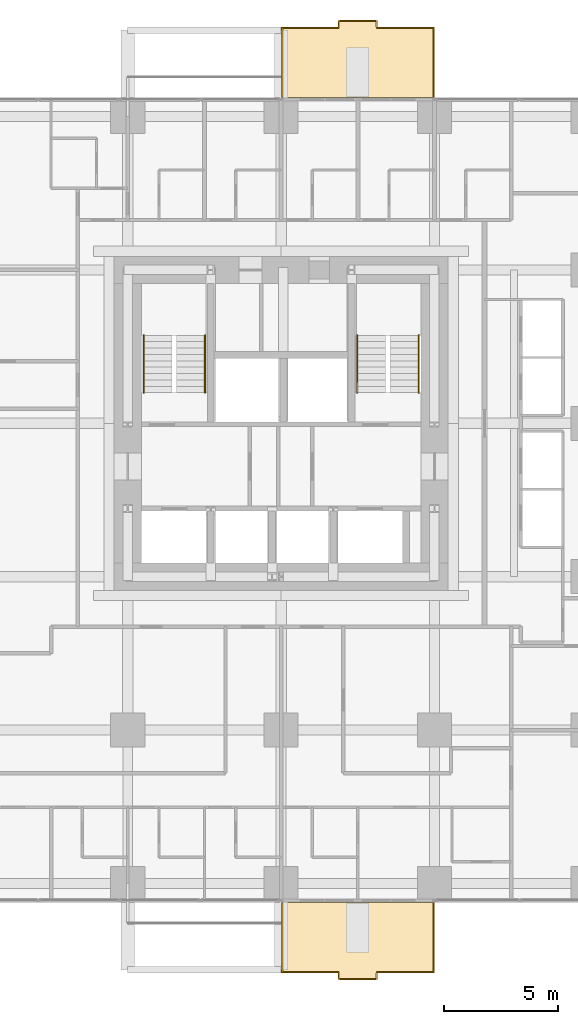
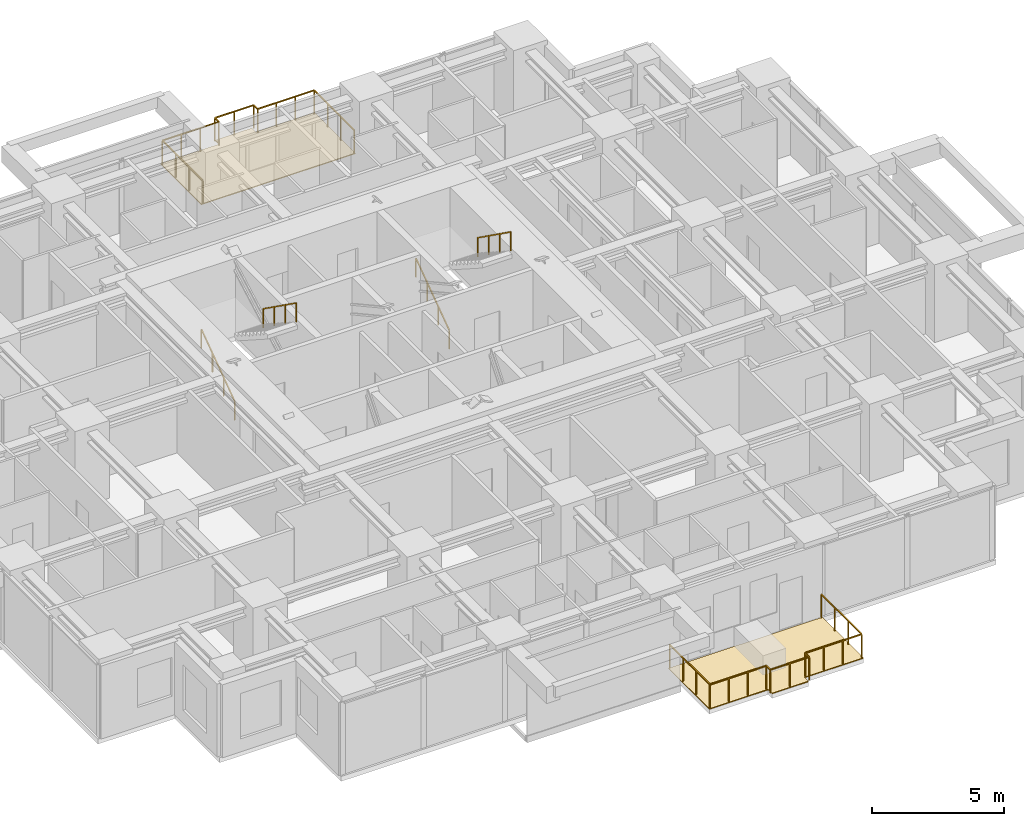
# One storey, part 12 of 12: 6 railings, 2 coverings.
"""IFC4 building model written with IfcOpenShell, lengths in metres."""

from ifc_helpers import new_model, si_unit, direction, frame, origin, origin_2d, place, context, subcontext, project, spatial, polyline, rectangle, outline, extrude, material, layer, layer_set, type_object, element, save


model = new_model("IFC4")

# Units and contexts
model_context = context("Model", 3, precision=1e-05, world=origin(), true_north=direction((0.0, 1.0)))
body_context = subcontext(model_context, "Body", "Model", "MODEL_VIEW")
ifc_project = project(units=[si_unit("LENGTHUNIT", "METRE"), si_unit("AREAUNIT", "SQUARE_METRE"), si_unit("VOLUMEUNIT", "CUBIC_METRE"), si_unit("PLANEANGLEUNIT", "RADIAN"), si_unit("MASSUNIT", "GRAM", prefix="KILO")], contexts=[model_context])

# Site, building, storey
site_placement = place(None, origin())
site = spatial("IfcSite", under=ifc_project, at=site_placement, CompositionType="ELEMENT")
building_placement = place(site_placement, origin())
building = spatial("IfcBuilding", under=site, at=building_placement, Name="Nyansa Garden Tower", CompositionType="ELEMENT")
storey_placement = place(building_placement, frame((0.0, 0.0, 119.699951171875)))
storey = spatial("IfcBuildingStorey", under=building, at=storey_placement, Name="L32", CompositionType="ELEMENT", Elevation=119.699951171875)

# Coverings
ifc_material_1 = material(Name="Hardwood decking on pedestals", Category="wood")
ifc_layer = layer(ifc_material_1, 0.0400390625)
ifc_layer_set = layer_set([ifc_layer], Name="Balcony decking DK40")
covering_type = type_object("IfcCoveringType", Name="Balcony decking DK40", PredefinedType="FLOORING", material=ifc_layer_set)
covering_1_placement = place(storey_placement, frame((0.0, 0.0, -0.0400390625)))
element("IfcCovering", 1, at=covering_1_placement, inside=storey, type_object=covering_type, Name="Balcony decking L32", PredefinedType="FLOORING", context=body_context, shape_type="SweptSolid", body=[
    extrude(outline(polyline([(20.25, -0.85009765625), (27.0, -0.85009765625), (27.0, -3.949951171875), (24.425048828125, -3.949951171875), (24.425048828125, -4.25), (22.824951171875, -4.25), (22.824951171875, -3.949951171875), (20.25, -3.949951171875), (20.25, -0.85009765625)])), origin(), (0.0, 0.0, 1.0), 0.0400390625),
])
covering_2_placement = place(storey_placement, frame((0.0, 0.0, -0.0400390625)))
element("IfcCovering", 2, at=covering_2_placement, inside=storey, type_object=covering_type, Name="Balcony decking L32", PredefinedType="FLOORING", context=body_context, shape_type="SweptSolid", body=[
    extrude(outline(polyline([(20.25, 34.60009765625), (27.0, 34.60009765625), (27.0, 37.699951171875), (24.425048828125, 37.699951171875), (24.425048828125, 38.0), (22.824951171875, 38.0), (22.824951171875, 37.699951171875), (20.25, 37.699951171875), (20.25, 34.60009765625)])), origin(), (0.0, 0.0, 1.0), 0.0400390625),
])

# Railings
ifc_material_2 = material(Name="Black powder-coated steel balusters, laminated glass infill", Category="steel")
railing_type_1 = type_object("IfcRailingType", Name="Balcony guard G1", PredefinedType="GUARDRAIL", material=ifc_material_2)
railing_1_placement = place(storey_placement, frame((20.300048828125, -0.85009765625, 0.0)))
element("IfcRailing", 3, at=railing_1_placement, inside=storey, type_object=railing_type_1, Name="Balcony guard L32", PredefinedType="GUARDRAIL", context=body_context, shape_type="SweptSolid", body=[
    extrude(rectangle(XDim=0.048095703125, YDim=0.048095703125, at=origin_2d()), frame((0.0, 0.0, 1.076171875), z_axis=(0.0, -1.0, 0.0), x_axis=(1.0, 0.0, 0.0)), (0.0, 0.0, 1.0), 3.0498046875),
    extrude(rectangle(XDim=0.048095703125, YDim=0.048095703125, at=origin_2d()), frame((0.0, -3.0498046875, 1.076171875), z_axis=(1.0, 0.0, 0.0), x_axis=(0.0, 1.0, 0.0)), (0.0, 0.0, 1.0), 2.474853515625),
    extrude(rectangle(XDim=0.048095703125, YDim=0.048095703125, at=origin_2d()), frame((2.474853515625, -3.0498046875, 1.076171875), z_axis=(0.0, -1.0, 0.0), x_axis=(1.0, 0.0, 0.0)), (0.0, 0.0, 1.0), 0.300048828125),
    extrude(rectangle(XDim=0.048095703125, YDim=0.048095703125, at=origin_2d()), frame((2.474853515625, -3.349853515625, 1.076171875), z_axis=(1.0, 0.0, 0.0), x_axis=(0.0, 1.0, 0.0)), (0.0, 0.0, 1.0), 1.7001953125),
    extrude(rectangle(XDim=0.048095703125, YDim=0.048095703125, at=origin_2d()), frame((4.175048828125, -3.349853515625, 1.076171875), z_axis=(0.0, 1.0, 0.0), x_axis=(-1.0, 0.0, 0.0)), (0.0, 0.0, 1.0), 0.300048828125),
    extrude(rectangle(XDim=0.048095703125, YDim=0.048095703125, at=origin_2d()), frame((4.175048828125, -3.0498046875, 1.076171875), z_axis=(1.0, 0.0, 0.0), x_axis=(0.0, 1.0, 0.0)), (0.0, 0.0, 1.0), 2.474853515625),
    extrude(rectangle(XDim=0.048095703125, YDim=0.048095703125, at=origin_2d()), frame((6.64990234375, -3.0498046875, 1.076171875), z_axis=(0.0, 1.0, 0.0), x_axis=(-1.0, 0.0, 0.0)), (0.0, 0.0, 1.0), 3.0498046875),
    extrude(rectangle(XDim=0.0419921875, YDim=0.0419921875, at=origin_2d()), origin(), (0.0, 0.0, 1.0), 1.052001953125),
    extrude(rectangle(XDim=0.0419921875, YDim=0.0419921875, at=origin_2d()), frame((0.0, -1.0166015625, 0.0)), (0.0, 0.0, 1.0), 1.052001953125),
    extrude(rectangle(XDim=0.0419921875, YDim=0.0419921875, at=origin_2d()), frame((0.0, -2.033203125, 0.0)), (0.0, 0.0, 1.0), 1.052001953125),
    extrude(rectangle(XDim=0.0419921875, YDim=0.0419921875, at=origin_2d()), frame((0.0, -3.0498046875, 0.0)), (0.0, 0.0, 1.0), 1.052001953125),
    extrude(rectangle(XDim=0.0419921875, YDim=0.0419921875, at=origin_2d()), frame((0.824951171875, -3.0498046875, 0.0)), (0.0, 0.0, 1.0), 1.052001953125),
    extrude(rectangle(XDim=0.0419921875, YDim=0.0419921875, at=origin_2d()), frame((1.64990234375, -3.0498046875, 0.0)), (0.0, 0.0, 1.0), 1.052001953125),
    extrude(rectangle(XDim=0.0419921875, YDim=0.0419921875, at=origin_2d()), frame((2.474853515625, -3.0498046875, 0.0)), (0.0, 0.0, 1.0), 1.052001953125),
    extrude(rectangle(XDim=0.0419921875, YDim=0.0419921875, at=origin_2d()), frame((2.474853515625, -3.349853515625, 0.0)), (0.0, 0.0, 1.0), 1.052001953125),
    extrude(rectangle(XDim=0.0419921875, YDim=0.0419921875, at=origin_2d()), frame((3.324951171875, -3.349853515625, 0.0)), (0.0, 0.0, 1.0), 1.052001953125),
    extrude(rectangle(XDim=0.0419921875, YDim=0.0419921875, at=origin_2d()), frame((4.175048828125, -3.349853515625, 0.0)), (0.0, 0.0, 1.0), 1.052001953125),
    extrude(rectangle(XDim=0.0419921875, YDim=0.0419921875, at=origin_2d()), frame((4.175048828125, -3.0498046875, 0.0)), (0.0, 0.0, 1.0), 1.052001953125),
    extrude(rectangle(XDim=0.0419921875, YDim=0.0419921875, at=origin_2d()), frame((5.0, -3.0498046875, 0.0)), (0.0, 0.0, 1.0), 1.052001953125),
    extrude(rectangle(XDim=0.0419921875, YDim=0.0419921875, at=origin_2d()), frame((5.824951171875, -3.0498046875, 0.0)), (0.0, 0.0, 1.0), 1.052001953125),
    extrude(rectangle(XDim=0.0419921875, YDim=0.0419921875, at=origin_2d()), frame((6.64990234375, -3.0498046875, 0.0)), (0.0, 0.0, 1.0), 1.052001953125),
    extrude(rectangle(XDim=0.0419921875, YDim=0.0419921875, at=origin_2d()), frame((6.64990234375, -2.033203125, 0.0)), (0.0, 0.0, 1.0), 1.052001953125),
    extrude(rectangle(XDim=0.0419921875, YDim=0.0419921875, at=origin_2d()), frame((6.64990234375, -1.0166015625, 0.0)), (0.0, 0.0, 1.0), 1.052001953125),
    extrude(rectangle(XDim=0.0419921875, YDim=0.0419921875, at=origin_2d()), frame((6.64990234375, 0.0, 0.0)), (0.0, 0.0, 1.0), 1.052001953125),
])
railing_2_placement = place(storey_placement, frame((20.300048828125, 34.60009765625, 0.0)))
element("IfcRailing", 4, at=railing_2_placement, inside=storey, type_object=railing_type_1, Name="Balcony guard L32", PredefinedType="GUARDRAIL", context=body_context, shape_type="SweptSolid", body=[
    extrude(rectangle(XDim=0.048095703125, YDim=0.048095703125, at=origin_2d()), frame((0.0, 0.0, 1.076171875), z_axis=(0.0, 1.0, 0.0), x_axis=(-1.0, 0.0, 0.0)), (0.0, 0.0, 1.0), 3.0498046875),
    extrude(rectangle(XDim=0.048095703125, YDim=0.048095703125, at=origin_2d()), frame((0.0, 3.0498046875, 1.076171875), z_axis=(1.0, 0.0, 0.0), x_axis=(0.0, 1.0, 0.0)), (0.0, 0.0, 1.0), 2.474853515625),
    extrude(rectangle(XDim=0.048095703125, YDim=0.048095703125, at=origin_2d()), frame((2.474853515625, 3.0498046875, 1.076171875), z_axis=(0.0, 1.0, 0.0), x_axis=(-1.0, 0.0, 0.0)), (0.0, 0.0, 1.0), 0.300048828125),
    extrude(rectangle(XDim=0.048095703125, YDim=0.048095703125, at=origin_2d()), frame((2.474853515625, 3.349853515625, 1.076171875), z_axis=(1.0, 0.0, 0.0), x_axis=(0.0, 1.0, 0.0)), (0.0, 0.0, 1.0), 1.7001953125),
    extrude(rectangle(XDim=0.048095703125, YDim=0.048095703125, at=origin_2d()), frame((4.175048828125, 3.349853515625, 1.076171875), z_axis=(0.0, -1.0, 0.0), x_axis=(1.0, 0.0, 0.0)), (0.0, 0.0, 1.0), 0.300048828125),
    extrude(rectangle(XDim=0.048095703125, YDim=0.048095703125, at=origin_2d()), frame((4.175048828125, 3.0498046875, 1.076171875), z_axis=(1.0, 0.0, 0.0), x_axis=(0.0, 1.0, 0.0)), (0.0, 0.0, 1.0), 2.474853515625),
    extrude(rectangle(XDim=0.048095703125, YDim=0.048095703125, at=origin_2d()), frame((6.64990234375, 3.0498046875, 1.076171875), z_axis=(0.0, -1.0, 0.0), x_axis=(1.0, 0.0, 0.0)), (0.0, 0.0, 1.0), 3.0498046875),
    extrude(rectangle(XDim=0.0419921875, YDim=0.0419921875, at=origin_2d()), origin(), (0.0, 0.0, 1.0), 1.052001953125),
    extrude(rectangle(XDim=0.0419921875, YDim=0.0419921875, at=origin_2d()), frame((0.0, 1.0166015625, 0.0)), (0.0, 0.0, 1.0), 1.052001953125),
    extrude(rectangle(XDim=0.0419921875, YDim=0.0419921875, at=origin_2d()), frame((0.0, 2.033203125, 0.0)), (0.0, 0.0, 1.0), 1.052001953125),
    extrude(rectangle(XDim=0.0419921875, YDim=0.0419921875, at=origin_2d()), frame((0.0, 3.0498046875, 0.0)), (0.0, 0.0, 1.0), 1.052001953125),
    extrude(rectangle(XDim=0.0419921875, YDim=0.0419921875, at=origin_2d()), frame((0.824951171875, 3.0498046875, 0.0)), (0.0, 0.0, 1.0), 1.052001953125),
    extrude(rectangle(XDim=0.0419921875, YDim=0.0419921875, at=origin_2d()), frame((1.64990234375, 3.0498046875, 0.0)), (0.0, 0.0, 1.0), 1.052001953125),
    extrude(rectangle(XDim=0.0419921875, YDim=0.0419921875, at=origin_2d()), frame((2.474853515625, 3.0498046875, 0.0)), (0.0, 0.0, 1.0), 1.052001953125),
    extrude(rectangle(XDim=0.0419921875, YDim=0.0419921875, at=origin_2d()), frame((2.474853515625, 3.349853515625, 0.0)), (0.0, 0.0, 1.0), 1.052001953125),
    extrude(rectangle(XDim=0.0419921875, YDim=0.0419921875, at=origin_2d()), frame((3.324951171875, 3.349853515625, 0.0)), (0.0, 0.0, 1.0), 1.052001953125),
    extrude(rectangle(XDim=0.0419921875, YDim=0.0419921875, at=origin_2d()), frame((4.175048828125, 3.349853515625, 0.0)), (0.0, 0.0, 1.0), 1.052001953125),
    extrude(rectangle(XDim=0.0419921875, YDim=0.0419921875, at=origin_2d()), frame((4.175048828125, 3.0498046875, 0.0)), (0.0, 0.0, 1.0), 1.052001953125),
    extrude(rectangle(XDim=0.0419921875, YDim=0.0419921875, at=origin_2d()), frame((5.0, 3.0498046875, 0.0)), (0.0, 0.0, 1.0), 1.052001953125),
    extrude(rectangle(XDim=0.0419921875, YDim=0.0419921875, at=origin_2d()), frame((5.824951171875, 3.0498046875, 0.0)), (0.0, 0.0, 1.0), 1.052001953125),
    extrude(rectangle(XDim=0.0419921875, YDim=0.0419921875, at=origin_2d()), frame((6.64990234375, 3.0498046875, 0.0)), (0.0, 0.0, 1.0), 1.052001953125),
    extrude(rectangle(XDim=0.0419921875, YDim=0.0419921875, at=origin_2d()), frame((6.64990234375, 2.033203125, 0.0)), (0.0, 0.0, 1.0), 1.052001953125),
    extrude(rectangle(XDim=0.0419921875, YDim=0.0419921875, at=origin_2d()), frame((6.64990234375, 1.0166015625, 0.0)), (0.0, 0.0, 1.0), 1.052001953125),
    extrude(rectangle(XDim=0.0419921875, YDim=0.0419921875, at=origin_2d()), frame((6.64990234375, 0.0, 0.0)), (0.0, 0.0, 1.0), 1.052001953125),
])
ifc_material_3 = material(Name="Black powder-coated steel tube 48 mm", Category="steel")
railing_type_2 = type_object("IfcRailingType", Name="Stair handrail HR1", PredefinedType="HANDRAIL", material=ifc_material_3)
railing_3_placement = place(storey_placement, frame((14.199951171875, 21.60009765625, 0.0)))
element("IfcRailing", 5, at=railing_3_placement, inside=storey, type_object=railing_type_2, Name="Stair S1 handrail L32", PredefinedType="HANDRAIL", context=body_context, shape_type="SweptSolid", body=[
    extrude(rectangle(XDim=0.048095703125, YDim=0.048095703125, at=origin_2d()), frame((0.0, 0.0, 0.8759765625), z_axis=(0.0, 0.813728144527, 0.581245650998), x_axis=(-1.0, 0.0, 0.0)), (0.0, 0.0, 1.0), 3.096923828125),
    extrude(rectangle(XDim=0.0419921875, YDim=0.0419921875, at=origin_2d()), origin(), (0.0, 0.0, 1.0), 0.851806640625),
    extrude(rectangle(XDim=0.0419921875, YDim=0.0419921875, at=origin_2d()), frame((0.0, 0.840087890625, 0.60009765625)), (0.0, 0.0, 1.0), 0.851806640625),
    extrude(rectangle(XDim=0.0419921875, YDim=0.0419921875, at=origin_2d()), frame((0.0, 1.679931640625, 1.199951171875)), (0.0, 0.0, 1.0), 0.851806640625),
    extrude(rectangle(XDim=0.0419921875, YDim=0.0419921875, at=origin_2d()), frame((0.0, 2.52001953125, 1.800048828125)), (0.0, 0.0, 1.0), 0.851806640625),
])
railing_4_placement = place(storey_placement, frame((16.89990234375, 24.1201171875, 1.800048828125)))
element("IfcRailing", 6, at=railing_4_placement, inside=storey, type_object=railing_type_2, Name="Stair S1 handrail L32", PredefinedType="HANDRAIL", context=body_context, shape_type="SweptSolid", body=[
    extrude(rectangle(XDim=0.048095703125, YDim=0.048095703125, at=origin_2d()), frame((0.0, 0.0, 0.8759765625), z_axis=(0.0, -0.813728144527, 0.581245650998), x_axis=(1.0, 0.0, 0.0)), (0.0, 0.0, 1.0), 3.096923828125),
    extrude(rectangle(XDim=0.0419921875, YDim=0.0419921875, at=origin_2d()), origin(), (0.0, 0.0, 1.0), 0.851806640625),
    extrude(rectangle(XDim=0.0419921875, YDim=0.0419921875, at=origin_2d()), frame((0.0, -0.840087890625, 0.60009765625)), (0.0, 0.0, 1.0), 0.851806640625),
    extrude(rectangle(XDim=0.0419921875, YDim=0.0419921875, at=origin_2d()), frame((0.0, -1.679931640625, 1.199951171875)), (0.0, 0.0, 1.0), 0.851806640625),
    extrude(rectangle(XDim=0.0419921875, YDim=0.0419921875, at=origin_2d()), frame((0.0, -2.52001953125, 1.800048828125)), (0.0, 0.0, 1.0), 0.851806640625),
])
railing_5_placement = place(storey_placement, frame((23.60009765625, 21.60009765625, 0.0)))
element("IfcRailing", 7, at=railing_5_placement, inside=storey, type_object=railing_type_2, Name="Stair S2 handrail L32", PredefinedType="HANDRAIL", context=body_context, shape_type="SweptSolid", body=[
    extrude(rectangle(XDim=0.048095703125, YDim=0.048095703125, at=origin_2d()), frame((0.0, 0.0, 0.8759765625), z_axis=(0.0, 0.813728144527, 0.581245650998), x_axis=(-1.0, 0.0, 0.0)), (0.0, 0.0, 1.0), 3.096923828125),
    extrude(rectangle(XDim=0.0419921875, YDim=0.0419921875, at=origin_2d()), origin(), (0.0, 0.0, 1.0), 0.851806640625),
    extrude(rectangle(XDim=0.0419921875, YDim=0.0419921875, at=origin_2d()), frame((0.0, 0.840087890625, 0.60009765625)), (0.0, 0.0, 1.0), 0.851806640625),
    extrude(rectangle(XDim=0.0419921875, YDim=0.0419921875, at=origin_2d()), frame((0.0, 1.679931640625, 1.199951171875)), (0.0, 0.0, 1.0), 0.851806640625),
    extrude(rectangle(XDim=0.0419921875, YDim=0.0419921875, at=origin_2d()), frame((0.0, 2.52001953125, 1.800048828125)), (0.0, 0.0, 1.0), 0.851806640625),
])
railing_6_placement = place(storey_placement, frame((26.300048828125, 24.1201171875, 1.800048828125)))
element("IfcRailing", 8, at=railing_6_placement, inside=storey, type_object=railing_type_2, Name="Stair S2 handrail L32", PredefinedType="HANDRAIL", context=body_context, shape_type="SweptSolid", body=[
    extrude(rectangle(XDim=0.048095703125, YDim=0.048095703125, at=origin_2d()), frame((0.0, 0.0, 0.8759765625), z_axis=(0.0, -0.813728144527, 0.581245650998), x_axis=(1.0, 0.0, 0.0)), (0.0, 0.0, 1.0), 3.096923828125),
    extrude(rectangle(XDim=0.0419921875, YDim=0.0419921875, at=origin_2d()), origin(), (0.0, 0.0, 1.0), 0.851806640625),
    extrude(rectangle(XDim=0.0419921875, YDim=0.0419921875, at=origin_2d()), frame((0.0, -0.840087890625, 0.60009765625)), (0.0, 0.0, 1.0), 0.851806640625),
    extrude(rectangle(XDim=0.0419921875, YDim=0.0419921875, at=origin_2d()), frame((0.0, -1.679931640625, 1.199951171875)), (0.0, 0.0, 1.0), 0.851806640625),
    extrude(rectangle(XDim=0.0419921875, YDim=0.0419921875, at=origin_2d()), frame((0.0, -2.52001953125, 1.800048828125)), (0.0, 0.0, 1.0), 0.851806640625),
])

save(model, "model.ifc")
